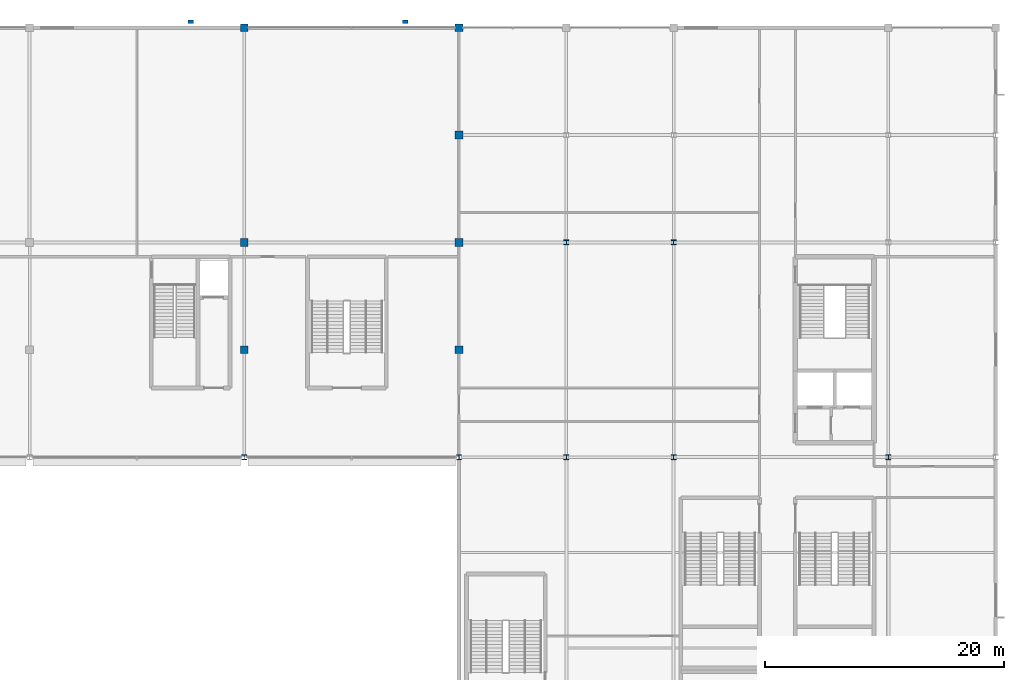
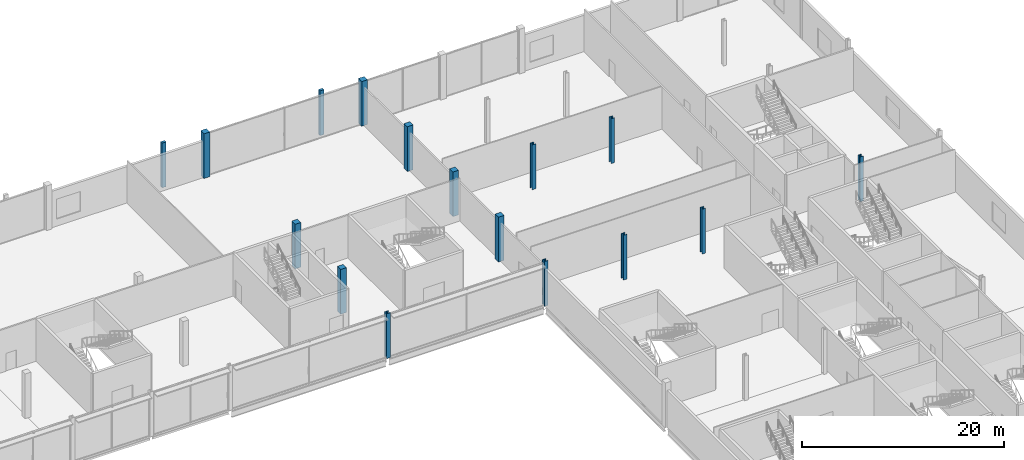
# One storey, part 10 of 111: 16 columns.
"""IFC4 building model written with IfcOpenShell, lengths in metres."""

from ifc_helpers import new_model, si_unit, direction, frame, origin, origin_2d, place, context, subcontext, project, spatial, rectangle, i_section, extrude, material, material_profile, profile_set, type_object, element, save


model = new_model("IFC4")

# Units and contexts
model_context = context("Model", 3, precision=1e-05, world=origin(), true_north=direction((0.0, 1.0)))
body_context = subcontext(model_context, "Body", "Model", "MODEL_VIEW")
ifc_project = project(units=[si_unit("LENGTHUNIT", "METRE"), si_unit("AREAUNIT", "SQUARE_METRE"), si_unit("VOLUMEUNIT", "CUBIC_METRE"), si_unit("PLANEANGLEUNIT", "RADIAN"), si_unit("MASSUNIT", "GRAM", prefix="KILO")], contexts=[model_context])

# Site, building, storey
site_placement = place(None, origin())
site = spatial("IfcSite", under=ifc_project, at=site_placement, CompositionType="ELEMENT")
building_placement = place(site_placement, origin())
building = spatial("IfcBuilding", under=site, at=building_placement, Name="Kisiwana Market Hall", CompositionType="ELEMENT")
storey_placement = place(building_placement, frame((0.0, 0.0, 11.39990234375)))
storey = spatial("IfcBuildingStorey", under=building, at=storey_placement, Name="L02", CompositionType="ELEMENT", Elevation=11.39990234375)

# Columns
ifc_material_1 = material(Name="Concrete C40/50", Category="concrete")
ifc_material_profile_1 = material_profile(ifc_material_1, rectangle(XDim=0.64990234375, YDim=0.64990234375, at=origin_2d()), Name="RC 650x650")
ifc_profile_set_1 = profile_set([ifc_material_profile_1], Name="Concrete C40/50")
column_type_1 = type_object("IfcColumnType", Name="COL-RC-POD-650", PredefinedType="COLUMN", material=ifc_profile_set_1)
for number, where, z_axis, x_axis, name in (
    (1, (135.0, 93.0, 0.0), (0.0, 0.0, 1.0), (1.0, 0.0, 0.0), "Column M/16 (L02) C-0596"),
    (2, (135.0, 102.0, 0.0), (0.0, 0.0, 1.0), (1.0, 0.0, 0.0), "Column N/16 (L02) C-0597"),
    (3, (135.0, 120.0, 0.0), (0.0, 0.0, 1.0), (1.0, 0.0, 0.0), "Column Q/16 (L02) C-0598"),
    (4, (153.0, 93.0, 0.0), (0.0, 0.0, 1.0), (1.0, 0.0, 0.0), "Column M/18 (L02) C-0606"),
    (5, (153.0, 102.0, 0.0), (0.0, 0.0, 1.0), (1.0, 0.0, 0.0), "Column N/18 (L02) C-0607"),
    (6, (153.0, 111.0, 0.0), (0.0, 0.0, 1.0), (1.0, 0.0, 0.0), "Column P/18 (L02) C-0608"),
    (7, (153.0, 120.0, 0.0), (0.0, 0.0, 1.0), (1.0, 0.0, 0.0), "Column Q/18 (L02) C-0609"),
):
    element("IfcColumn", number, at=place(storey_placement, frame(where, z_axis=z_axis, x_axis=x_axis)), inside=storey, type_object=column_type_1, Name=name, PredefinedType="COLUMN", context=body_context, shape_type="SweptSolid", body=[
        extrude(rectangle(XDim=0.64990234375, YDim=0.64990234375, at=origin_2d()), origin(), (0.0, 0.0, 1.0), 5.400146484375),
    ])
ifc_material_2 = material(Name="Steel S355", Category="steel")
ifc_material_profile_2 = material_profile(ifc_material_2, i_section(OverallWidth=0.406005859375, OverallDepth=0.416015625, WebThickness=0.02978515625, FlangeThickness=0.048095703125, at=origin_2d()), Name="HD 400x382")
ifc_profile_set_2 = profile_set([ifc_material_profile_2], Name="Steel S355")
column_type_2 = type_object("IfcColumnType", Name="COL-STL-HD382", PredefinedType="COLUMN", material=ifc_profile_set_2)
for number, where, z_axis, x_axis, name in (
    (8, (162.0, 84.0, 0.0), (0.0, 0.0, 1.0), (1.0, 0.0, 0.0), "Column L/19 (L02) C-0614"),
    (9, (162.0, 102.0, 0.0), (0.0, 0.0, 1.0), (1.0, 0.0, 0.0), "Column N/19 (L02) C-0615"),
    (10, (171.0, 84.0, 0.0), (0.0, 0.0, 1.0), (1.0, 0.0, 0.0), "Column L/20 (L02) C-0623"),
    (11, (171.0, 102.0, 0.0), (0.0, 0.0, 1.0), (1.0, 0.0, 0.0), "Column N/20 (L02) C-0624"),
    (12, (189.0, 84.0, 0.0), (0.0, 0.0, 1.0), (1.0, 0.0, 0.0), "Column L/22 (L02) C-0631"),
):
    element("IfcColumn", number, at=place(storey_placement, frame(where, z_axis=z_axis, x_axis=x_axis)), inside=storey, type_object=column_type_2, Name=name, PredefinedType="COLUMN", context=body_context, shape_type="SweptSolid", body=[
        extrude(i_section(OverallWidth=0.406005859375, OverallDepth=0.416015625, WebThickness=0.02978515625, FlangeThickness=0.048095703125, at=origin_2d()), origin(), (0.0, 0.0, 1.0), 5.400146484375),
    ])
ifc_material_3 = material(Name="Steel S355", Category="steel")
ifc_material_profile_3 = material_profile(ifc_material_3, i_section(OverallWidth=0.412109375, OverallDepth=0.43505859375, WebThickness=0.035888671875, FlangeThickness=0.05810546875, at=origin_2d()), Name="HD 400x463")
ifc_profile_set_3 = profile_set([ifc_material_profile_3], Name="Steel S355")
column_type_3 = type_object("IfcColumnType", Name="COL-STL-HD463", PredefinedType="COLUMN", material=ifc_profile_set_3)
for number, where, z_axis, x_axis, name in (
    (13, (135.0, 84.0, 0.0), (0.0, 0.0, 1.0), (1.0, 0.0, 0.0), "Column L/16 (L02) C-0595"),
    (14, (153.0, 84.0, 0.0), (0.0, 0.0, 1.0), (1.0, 0.0, 0.0), "Column L/18 (L02) C-0605"),
):
    element("IfcColumn", number, at=place(storey_placement, frame(where, z_axis=z_axis, x_axis=x_axis)), inside=storey, type_object=column_type_3, Name=name, PredefinedType="COLUMN", context=body_context, shape_type="SweptSolid", body=[
        extrude(i_section(OverallWidth=0.412109375, OverallDepth=0.43505859375, WebThickness=0.035888671875, FlangeThickness=0.05810546875, at=origin_2d()), origin(), (0.0, 0.0, 1.0), 5.400146484375),
    ])
ifc_material_4 = material(Name="Concrete C40/50", Category="concrete")
ifc_material_profile_4 = material_profile(ifc_material_4, rectangle(XDim=0.449951171875, YDim=0.300048828125, at=origin_2d()), Name="PIL 450x300")
ifc_profile_set_4 = profile_set([ifc_material_profile_4], Name="Concrete C40/50")
column_type_4 = type_object("IfcColumnType", Name="PIL-CONC-450", PredefinedType="PILASTER", material=ifc_profile_set_4)
for number, where, z_axis, x_axis, name in (
    (15, (130.5, 120.5, 0.0), (0.0, 0.0, 1.0), (1.0, 0.0, 0.0), "Facade pilaster Q/15 (L02) C-0654"),
    (16, (148.5, 120.5, 0.0), (0.0, 0.0, 1.0), (1.0, 0.0, 0.0), "Facade pilaster Q/17 (L02) C-0655"),
):
    element("IfcColumn", number, at=place(storey_placement, frame(where, z_axis=z_axis, x_axis=x_axis)), inside=storey, type_object=column_type_4, Name=name, PredefinedType="PILASTER", context=body_context, shape_type="SweptSolid", body=[
        extrude(rectangle(XDim=0.449951171875, YDim=0.300048828125, at=origin_2d()), origin(), (0.0, 0.0, 1.0), 5.400146484375),
    ])

save(model, "model.ifc")
